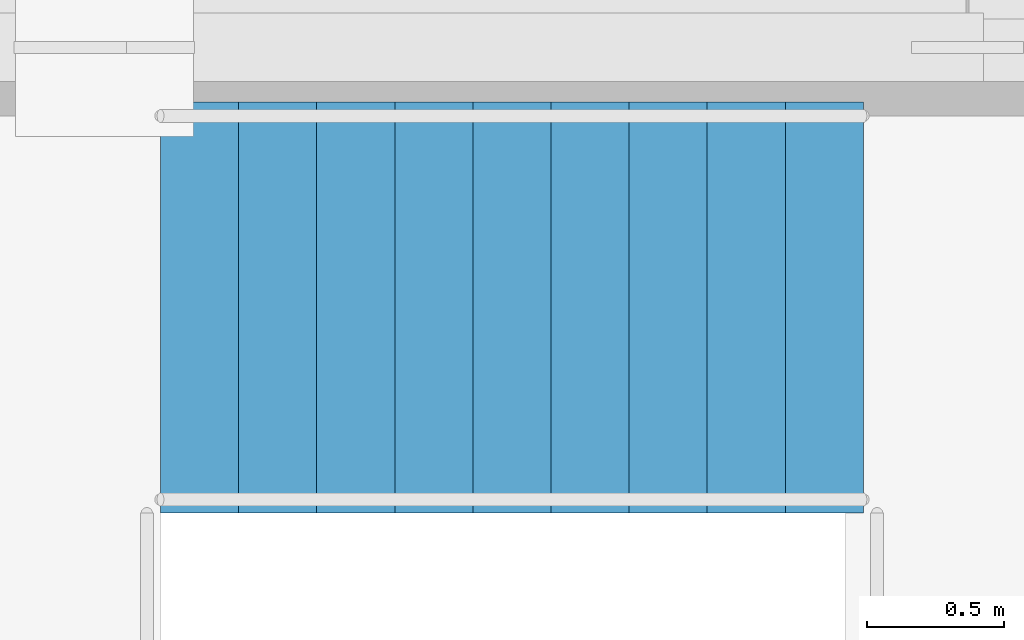
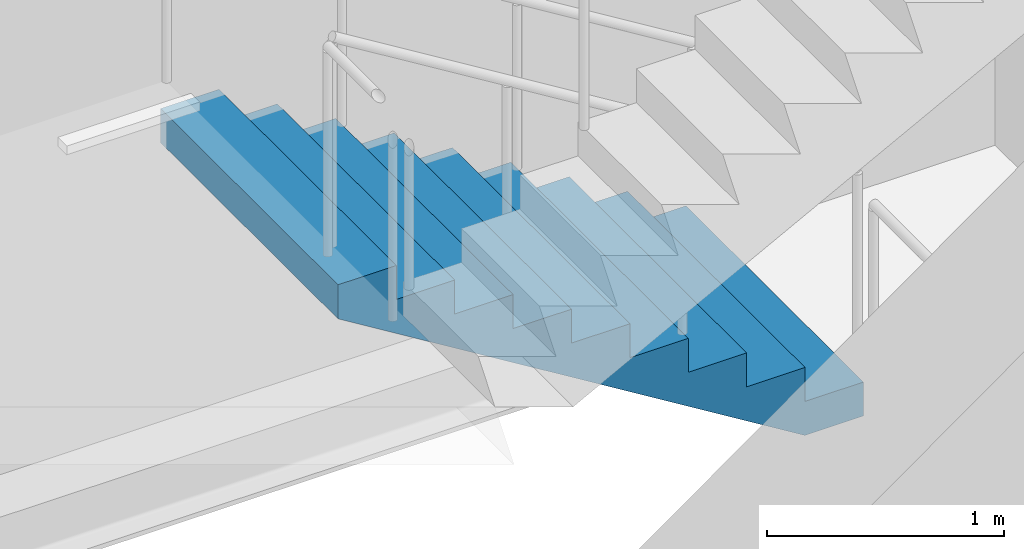
# One storey, part 22 of 23: 1 stair flight, 1 element without a shape of its own.
"""IFC4 building model written with IfcOpenShell, lengths in metres."""

from ifc_helpers import new_model, si_unit, direction, frame, origin, place, context, subcontext, project, spatial, polyline, outline, extrude, material, type_object, element, aggregate, save


model = new_model("IFC4")

# Units and contexts
model_context = context("Model", 3, precision=1e-05, world=origin(), true_north=direction((0.0, 1.0)))
body_context = subcontext(model_context, "Body", "Model", "MODEL_VIEW")
ifc_project = project(units=[si_unit("LENGTHUNIT", "METRE"), si_unit("AREAUNIT", "SQUARE_METRE"), si_unit("VOLUMEUNIT", "CUBIC_METRE"), si_unit("PLANEANGLEUNIT", "RADIAN"), si_unit("MASSUNIT", "GRAM", prefix="KILO")], contexts=[model_context])

# Site, building, storey
site_placement = place(None, origin())
site = spatial("IfcSite", under=ifc_project, at=site_placement, CompositionType="ELEMENT")
building_placement = place(site_placement, origin())
building = spatial("IfcBuilding", under=site, at=building_placement, Name="Cobrela Telecom Tower", CompositionType="ELEMENT")
storey_placement = place(building_placement, frame((0.0, 0.0, 279.64990234375)))
storey = spatial("IfcBuildingStorey", under=building, at=storey_placement, Name="L73", CompositionType="ELEMENT", Elevation=279.64990234375)

# Stair, stair flight
ifc_material = material(Name="Concrete C40/50", Category="concrete")
stair_type = type_object("IfcStairType", Name="STAIR-CORE", PredefinedType="HALF_TURN_STAIR", material=ifc_material)
stair_placement = place(storey_placement, origin())
stair = element("IfcStair", 1, at=stair_placement, inside=storey, type_object=stair_type, Name="L73 Smokeproof Exit Stair ST1", PredefinedType="HALF_TURN_STAIR")
stair_flight_type = type_object("IfcStairFlightType", Name="FLIGHT-CORE", PredefinedType="STRAIGHT", material=ifc_material)
stair_flight_placement = place(storey_placement, frame((6.820068359375, 34.800048828125, 0.0), z_axis=(0.0, 0.0, 1.0), x_axis=(-1.0, 0.0, 0.0)))
stair_flight = element("IfcStairFlight", 2, at=stair_flight_placement, type_object=stair_flight_type, Name="ST1 flight 1", NumberOfRisers=10, NumberOfTreads=9, PredefinedType="STRAIGHT", RiserHeight=0.175, TreadLength=0.285, context=body_context, shape_type="SweptSolid", body=[
    extrude(outline(polyline([(0.0, 0.0), (0.0, 0.175048828125), (0.284912109375, 0.175048828125), (0.284912109375, 0.35009765625), (0.570068359375, 0.35009765625), (0.570068359375, 0.52490234375), (0.85498046875, 0.52490234375), (0.85498046875, 0.699951171875), (1.139892578125, 0.699951171875), (1.139892578125, 0.875), (1.425048828125, 0.875), (1.425048828125, 1.050048828125), (1.7099609375, 1.050048828125), (1.7099609375, 1.22509765625), (1.9951171875, 1.22509765625), (1.9951171875, 1.39990234375), (2.280029296875, 1.39990234375), (2.280029296875, 1.574951171875), (2.56494140625, 1.574951171875), (2.56494140625, 1.75), (2.56494140625, 1.399169921875), (0.286376953125, 0.0), (0.0, 0.0)])), frame((0.0, 0.75, 0.0), z_axis=(0.0, -1.0, 0.0), x_axis=(1.0, 0.0, 0.0)), (0.0, 0.0, 1.0), 1.5),
])
aggregate(stair, [stair_flight])

save(model, "model.ifc")
